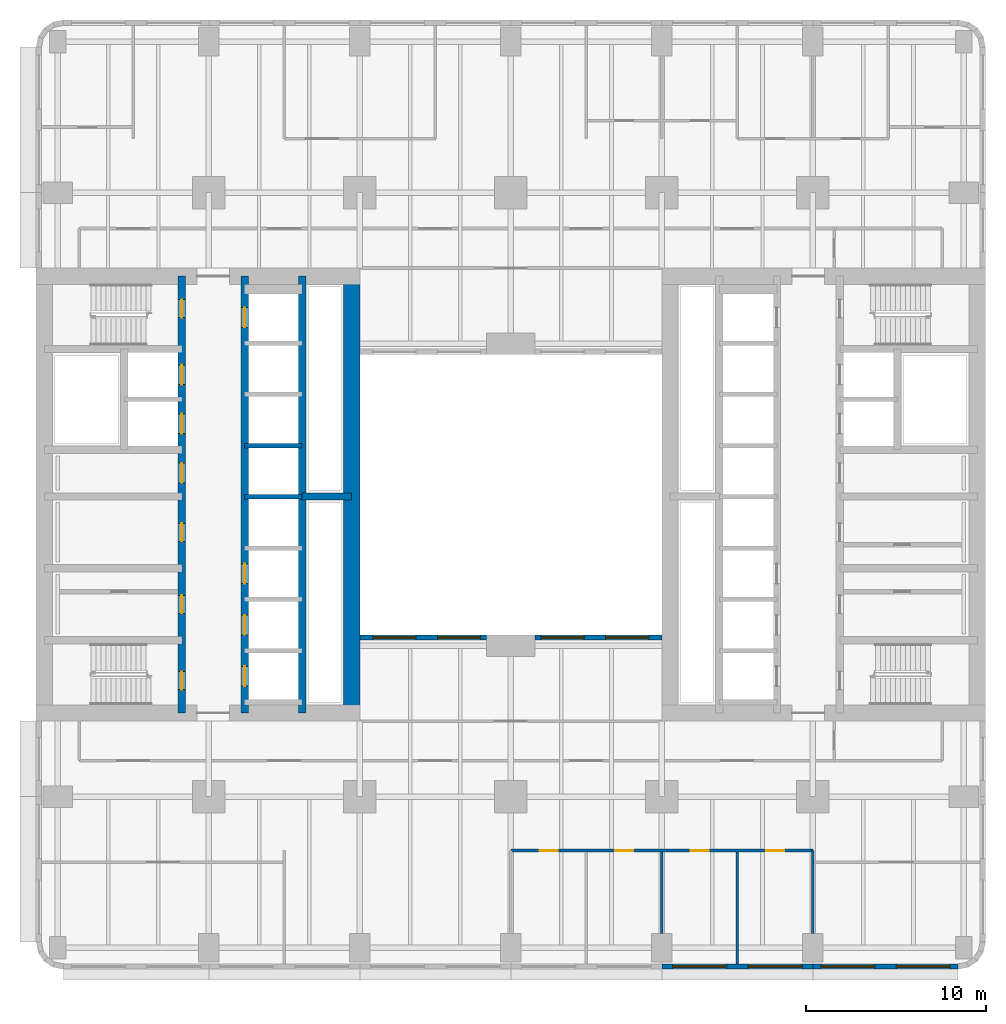
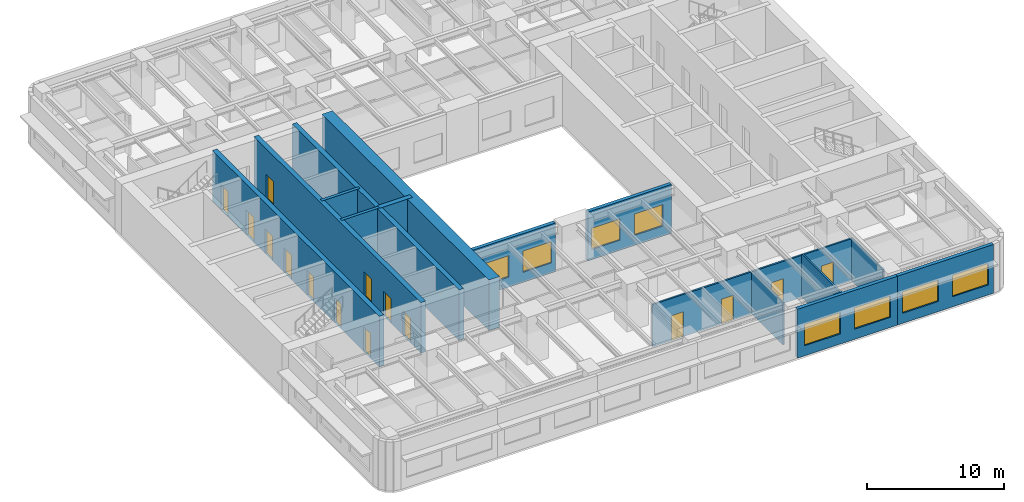
# One storey, part 4 of 14: 15 doors, 15 walls, 8 windows, 23 openings.
"""IFC4 building model written with IfcOpenShell, lengths in metres."""

from ifc_helpers import new_model, si_unit, direction, frame, frame_2d, origin, place, context, subcontext, project, spatial, rectangle, extrude, material, layer, layer_set, type_object, element, fill, save


model = new_model("IFC4")

# Units and contexts
model_context = context("Model", 3, precision=1e-05, world=origin(), true_north=direction((0.0, 1.0)))
body_context = subcontext(model_context, "Body", "Model", "MODEL_VIEW")
ifc_project = project(units=[si_unit("LENGTHUNIT", "METRE"), si_unit("AREAUNIT", "SQUARE_METRE"), si_unit("VOLUMEUNIT", "CUBIC_METRE"), si_unit("PLANEANGLEUNIT", "RADIAN"), si_unit("MASSUNIT", "GRAM", prefix="KILO")], contexts=[model_context])

# Site, building, storey
site_placement = place(None, origin())
site = spatial("IfcSite", under=ifc_project, at=site_placement, CompositionType="ELEMENT")
building_placement = place(site_placement, origin())
building = spatial("IfcBuilding", under=site, at=building_placement, Name="Claustro Exchange Tower", CompositionType="ELEMENT")
storey_placement = place(building_placement, frame((0.0, 0.0, 36.89990234375)))
storey = spatial("IfcBuildingStorey", under=building, at=storey_placement, Name="L08", CompositionType="ELEMENT", Elevation=36.89990234375)

# Wall, openings, doors
ifc_material_1 = material(Name="Gypsum board on steel studs", Category="steel")
ifc_layer_1 = layer(ifc_material_1, 0.14990234375)
ifc_layer_set_1 = layer_set([ifc_layer_1], Name="Gypsum board on steel studs")
wall_type_1 = type_object("IfcWallType", Name="P1 150 plasterboard partition", PredefinedType="PARTITIONING", material=ifc_layer_set_1)
wall_1_placement = place(storey_placement, frame((25.199951171875, 5.39990234375, 0.0), z_axis=(0.0, 0.0, 1.0), x_axis=(1.0, 0.0, 0.0)))
wall_1 = element("IfcWall", 1, at=wall_1_placement, inside=storey, type_object=wall_type_1, Name="Partition P1 L08", PredefinedType="PARTITIONING", context=body_context, shape_type="SweptSolid", body=[
    extrude(rectangle(XDim=16.800048828125, YDim=0.14990234375, at=frame_2d((8.39990234375, 0.0))), origin(), (0.0, 0.0, 1.0), 3.739990234375),
])
opening_1_placement = place(wall_1_placement, frame((1.60009765625, 0.0, 0.0)))
opening_1 = element("IfcOpeningElement", 2, at=opening_1_placement, cuts=wall_1, Name="Opening D1", PredefinedType="OPENING", context=body_context, shape_type="SweptSolid", body=[
    extrude(rectangle(XDim=1.0, YDim=2.199951171875, at=frame_2d((0.5, 1.10009765625))), frame((0.0, 0.0849609375, 0.0), z_axis=(0.0, -1.0, 0.0), x_axis=(1.0, 0.0, 0.0)), (0.0, 0.0, 1.0), 0.169921875),
])
opening_2_placement = place(wall_1_placement, frame((5.800048828125, 0.0, 0.0)))
opening_2 = element("IfcOpeningElement", 3, at=opening_2_placement, cuts=wall_1, Name="Opening D1", PredefinedType="OPENING", context=body_context, shape_type="SweptSolid", body=[
    extrude(rectangle(XDim=1.0, YDim=2.199951171875, at=frame_2d((0.5, 1.10009765625))), frame((0.0, 0.0849609375, 0.0), z_axis=(0.0, -1.0, 0.0), x_axis=(1.0, 0.0, 0.0)), (0.0, 0.0, 1.0), 0.169921875),
])
opening_3_placement = place(wall_1_placement, frame((10.0, 0.0, 0.0)))
opening_3 = element("IfcOpeningElement", 4, at=opening_3_placement, cuts=wall_1, Name="Opening D1", PredefinedType="OPENING", context=body_context, shape_type="SweptSolid", body=[
    extrude(rectangle(XDim=1.0, YDim=2.199951171875, at=frame_2d((0.5, 1.10009765625))), frame((0.0, 0.0849609375, 0.0), z_axis=(0.0, -1.0, 0.0), x_axis=(1.0, 0.0, 0.0)), (0.0, 0.0, 1.0), 0.169921875),
])
opening_4_placement = place(wall_1_placement, frame((14.199951171875, 0.0, 0.0)))
opening_4 = element("IfcOpeningElement", 5, at=opening_4_placement, cuts=wall_1, Name="Opening D1", PredefinedType="OPENING", context=body_context, shape_type="SweptSolid", body=[
    extrude(rectangle(XDim=1.0, YDim=2.199951171875, at=frame_2d((0.5, 1.10009765625))), frame((0.0, 0.0849609375, 0.0), z_axis=(0.0, -1.0, 0.0), x_axis=(1.0, 0.0, 0.0)), (0.0, 0.0, 1.0), 0.169921875),
])
ifc_material_2 = material(Name="Timber door, oak veneer", Category="wood")
door_type_1 = type_object("IfcDoorType", Name="D1 1000 x 2200 single door", OperationType="SINGLE_SWING_LEFT", PredefinedType="DOOR", material=ifc_material_2)
door_1_placement = place(opening_1_placement, frame((1.0, 0.0, 0.0), z_axis=(0.0, 0.0, 1.0), x_axis=(-1.0, 0.0, 0.0)))
door_1 = element("IfcDoor", 6, at=door_1_placement, inside=storey, type_object=door_type_1, Name="Door D1 L08", OperationType="SINGLE_SWING_LEFT", OverallHeight=2.199951171875, OverallWidth=1.0, PredefinedType="DOOR", context=body_context, shape_type="SweptSolid", body=[
    extrude(rectangle(XDim=1.0, YDim=2.199951171875, at=frame_2d((0.5, 1.10009765625))), frame((0.0, 0.02490234375, 0.0), z_axis=(0.0, -1.0, 0.0), x_axis=(1.0, 0.0, 0.0)), (0.0, 0.0, 1.0), 0.050048828125),
])
fill(opening_1, door_1)
door_2_placement = place(opening_2_placement, frame((1.0, 0.0, 0.0), z_axis=(0.0, 0.0, 1.0), x_axis=(-1.0, 0.0, 0.0)))
door_2 = element("IfcDoor", 7, at=door_2_placement, inside=storey, type_object=door_type_1, Name="Door D1 L08", OperationType="SINGLE_SWING_RIGHT", OverallHeight=2.199951171875, OverallWidth=1.0, PredefinedType="DOOR", context=body_context, shape_type="SweptSolid", body=[
    extrude(rectangle(XDim=1.0, YDim=2.199951171875, at=frame_2d((0.5, 1.10009765625))), frame((0.0, 0.02490234375, 0.0), z_axis=(0.0, -1.0, 0.0), x_axis=(1.0, 0.0, 0.0)), (0.0, 0.0, 1.0), 0.050048828125),
])
fill(opening_2, door_2)
door_3_placement = place(opening_3_placement, frame((1.0, 0.0, 0.0), z_axis=(0.0, 0.0, 1.0), x_axis=(-1.0, 0.0, 0.0)))
door_3 = element("IfcDoor", 8, at=door_3_placement, inside=storey, type_object=door_type_1, Name="Door D1 L08", OperationType="SINGLE_SWING_RIGHT", OverallHeight=2.199951171875, OverallWidth=1.0, PredefinedType="DOOR", context=body_context, shape_type="SweptSolid", body=[
    extrude(rectangle(XDim=1.0, YDim=2.199951171875, at=frame_2d((0.5, 1.10009765625))), frame((0.0, 0.02490234375, 0.0), z_axis=(0.0, -1.0, 0.0), x_axis=(1.0, 0.0, 0.0)), (0.0, 0.0, 1.0), 0.050048828125),
])
fill(opening_3, door_3)
door_4_placement = place(opening_4_placement, frame((1.0, 0.0, 0.0), z_axis=(0.0, 0.0, 1.0), x_axis=(-1.0, 0.0, 0.0)))
door_4 = element("IfcDoor", 9, at=door_4_placement, inside=storey, type_object=door_type_1, Name="Door D1 L08", OperationType="SINGLE_SWING_RIGHT", OverallHeight=2.199951171875, OverallWidth=1.0, PredefinedType="DOOR", context=body_context, shape_type="SweptSolid", body=[
    extrude(rectangle(XDim=1.0, YDim=2.199951171875, at=frame_2d((0.5, 1.10009765625))), frame((0.0, 0.02490234375, 0.0), z_axis=(0.0, -1.0, 0.0), x_axis=(1.0, 0.0, 0.0)), (0.0, 0.0, 1.0), 0.050048828125),
])
fill(opening_4, door_4)

# Walls
wall_2_placement = place(storey_placement, frame((33.60009765625, 0.799072265625, 0.0), z_axis=(0.0, 0.0, 1.0), x_axis=(0.0, 1.0, 0.0)))
element("IfcWall", 10, at=wall_2_placement, inside=storey, type_object=wall_type_1, Name="Partition P1 L08", PredefinedType="PARTITIONING", context=body_context, shape_type="SweptSolid", body=[
    extrude(rectangle(XDim=4.52685546875, YDim=0.14990234375, at=frame_2d((2.263427734375, 0.0))), origin(), (0.0, 0.0, 1.0), 3.739990234375),
])
wall_3_placement = place(storey_placement, frame((37.800048828125, -0.902099609375, 0.0), z_axis=(0.0, 0.0, 1.0), x_axis=(0.0, 1.0, 0.0)))
element("IfcWall", 11, at=wall_3_placement, inside=storey, type_object=wall_type_1, Name="Partition P1 L08", PredefinedType="PARTITIONING", context=body_context, shape_type="SweptSolid", body=[
    extrude(rectangle(XDim=6.22802734375, YDim=0.14990234375, at=frame_2d((3.114013671875, 0.0))), origin(), (0.0, 0.0, 1.0), 3.840087890625),
])
wall_4_placement = place(storey_placement, frame((42.0, 0.799072265625, 0.0), z_axis=(0.0, 0.0, 1.0), x_axis=(0.0, 1.0, 0.0)))
element("IfcWall", 12, at=wall_4_placement, inside=storey, type_object=wall_type_1, Name="Partition P1 L08", PredefinedType="PARTITIONING", context=body_context, shape_type="SweptSolid", body=[
    extrude(rectangle(XDim=4.600830078125, YDim=0.14990234375, at=frame_2d((2.30029296875, 0.0))), origin(), (0.0, 0.0, 1.0), 3.739990234375),
])

# Wall, openings, windows
ifc_material_3 = material(Name="Concrete HA-40 (C40/50), precast, white cement, acid-etched", Category="concrete")
ifc_layer_2 = layer(ifc_material_3, 0.300048828125)
ifc_layer_set_2 = layer_set([ifc_layer_2], Name="Concrete HA-40 (C40/50), precast, white cement, acid-etched")
wall_type_2 = type_object("IfcWallType", Name="PC1 300 precast concrete pier panel", PredefinedType="SOLIDWALL", material=ifc_layer_set_2)
wall_5_placement = place(storey_placement, frame((50.085205078125, -1.050048828125, 0.0), z_axis=(0.0, 0.0, 1.0), x_axis=(-1.0, 0.0, 0.0)))
wall_5 = element("IfcWall", 13, at=wall_5_placement, inside=storey, type_object=wall_type_2, Name="Precast pier panel PC1 L08", PredefinedType="SOLIDWALL", context=body_context, shape_type="SweptSolid", body=[
    extrude(rectangle(XDim=8.085205078125, YDim=0.300048828125, at=frame_2d((4.04248046875, 0.0))), origin(), (0.0, 0.0, 1.0), 4.340087890625),
])
opening_5_placement = place(wall_5_placement, frame((0.442626953125, 0.0, 0.89990234375)))
opening_5 = element("IfcOpeningElement", 14, at=opening_5_placement, cuts=wall_5, Name="Opening W1", PredefinedType="OPENING", context=body_context, shape_type="SweptSolid", body=[
    extrude(rectangle(XDim=3.0, YDim=1.89990234375, at=frame_2d((1.5, 0.949951171875))), frame((0.0, 0.159912109375, 0.0), z_axis=(0.0, -1.0, 0.0), x_axis=(1.0, 0.0, 0.0)), (0.0, 0.0, 1.0), 0.320068359375),
])
opening_6_placement = place(wall_5_placement, frame((4.642578125, 0.0, 0.89990234375)))
opening_6 = element("IfcOpeningElement", 15, at=opening_6_placement, cuts=wall_5, Name="Opening W1", PredefinedType="OPENING", context=body_context, shape_type="SweptSolid", body=[
    extrude(rectangle(XDim=3.0, YDim=1.89990234375, at=frame_2d((1.5, 0.949951171875))), frame((0.0, 0.159912109375, 0.0), z_axis=(0.0, -1.0, 0.0), x_axis=(1.0, 0.0, 0.0)), (0.0, 0.0, 1.0), 0.320068359375),
])
ifc_material_4 = material(Name="Aluminium frame, clear double glazing", Category="aluminium")
window_type_1 = type_object("IfcWindowType", Name="W1 3000 x 1900 window", PartitioningType="SINGLE_PANEL", PredefinedType="WINDOW", material=ifc_material_4)
window_1_placement = place(opening_5_placement, origin())
window_1 = element("IfcWindow", 16, at=window_1_placement, inside=storey, type_object=window_type_1, Name="Window W1 L08", OverallHeight=1.89990234375, OverallWidth=3.0, PartitioningType="SINGLE_PANEL", PredefinedType="WINDOW", context=body_context, shape_type="SweptSolid", body=[
    extrude(rectangle(XDim=3.0, YDim=1.89990234375, at=frame_2d((1.5, 0.949951171875))), frame((0.0, 0.030029296875, 0.0), z_axis=(0.0, -1.0, 0.0), x_axis=(1.0, 0.0, 0.0)), (0.0, 0.0, 1.0), 0.06005859375),
])
fill(opening_5, window_1)
window_2_placement = place(opening_6_placement, origin())
window_2 = element("IfcWindow", 17, at=window_2_placement, inside=storey, type_object=window_type_1, Name="Window W1 L08", OverallHeight=1.89990234375, OverallWidth=3.0, PartitioningType="SINGLE_PANEL", PredefinedType="WINDOW", context=body_context, shape_type="SweptSolid", body=[
    extrude(rectangle(XDim=3.0, YDim=1.89990234375, at=frame_2d((1.5, 0.949951171875))), frame((0.0, 0.030029296875, 0.0), z_axis=(0.0, -1.0, 0.0), x_axis=(1.0, 0.0, 0.0)), (0.0, 0.0, 1.0), 0.06005859375),
])
fill(opening_6, window_2)

wall_6_placement = place(storey_placement, frame((42.0, -1.050048828125, 0.0), z_axis=(0.0, 0.0, 1.0), x_axis=(-1.0, 0.0, 0.0)))
wall_6 = element("IfcWall", 18, at=wall_6_placement, inside=storey, type_object=wall_type_2, Name="Precast pier panel PC1 L08", PredefinedType="SOLIDWALL", context=body_context, shape_type="SweptSolid", body=[
    extrude(rectangle(XDim=8.39990234375, YDim=0.300048828125, at=frame_2d((4.199951171875, 0.0))), origin(), (0.0, 0.0, 1.0), 4.340087890625),
])
opening_7_placement = place(wall_6_placement, frame((0.60009765625, 0.0, 0.89990234375)))
opening_7 = element("IfcOpeningElement", 19, at=opening_7_placement, cuts=wall_6, Name="Opening W1", PredefinedType="OPENING", context=body_context, shape_type="SweptSolid", body=[
    extrude(rectangle(XDim=3.0, YDim=1.89990234375, at=frame_2d((1.5, 0.949951171875))), frame((0.0, 0.159912109375, 0.0), z_axis=(0.0, -1.0, 0.0), x_axis=(1.0, 0.0, 0.0)), (0.0, 0.0, 1.0), 0.320068359375),
])
opening_8_placement = place(wall_6_placement, frame((4.800048828125, 0.0, 0.89990234375)))
opening_8 = element("IfcOpeningElement", 20, at=opening_8_placement, cuts=wall_6, Name="Opening W1", PredefinedType="OPENING", context=body_context, shape_type="SweptSolid", body=[
    extrude(rectangle(XDim=3.0, YDim=1.89990234375, at=frame_2d((1.5, 0.949951171875))), frame((0.0, 0.159912109375, 0.0), z_axis=(0.0, -1.0, 0.0), x_axis=(1.0, 0.0, 0.0)), (0.0, 0.0, 1.0), 0.320068359375),
])
window_3_placement = place(opening_7_placement, origin())
window_3 = element("IfcWindow", 21, at=window_3_placement, inside=storey, type_object=window_type_1, Name="Window W1 L08", OverallHeight=1.89990234375, OverallWidth=3.0, PartitioningType="SINGLE_PANEL", PredefinedType="WINDOW", context=body_context, shape_type="SweptSolid", body=[
    extrude(rectangle(XDim=3.0, YDim=1.89990234375, at=frame_2d((1.5, 0.949951171875))), frame((0.0, 0.030029296875, 0.0), z_axis=(0.0, -1.0, 0.0), x_axis=(1.0, 0.0, 0.0)), (0.0, 0.0, 1.0), 0.06005859375),
])
fill(opening_7, window_3)
window_4_placement = place(opening_8_placement, origin())
window_4 = element("IfcWindow", 22, at=window_4_placement, inside=storey, type_object=window_type_1, Name="Window W1 L08", OverallHeight=1.89990234375, OverallWidth=3.0, PartitioningType="SINGLE_PANEL", PredefinedType="WINDOW", context=body_context, shape_type="SweptSolid", body=[
    extrude(rectangle(XDim=3.0, YDim=1.89990234375, at=frame_2d((1.5, 0.949951171875))), frame((0.0, 0.030029296875, 0.0), z_axis=(0.0, -1.0, 0.0), x_axis=(1.0, 0.0, 0.0)), (0.0, 0.0, 1.0), 0.06005859375),
])
fill(opening_8, window_4)

wall_7_placement = place(storey_placement, frame((16.800048828125, 17.25, 0.0), z_axis=(0.0, 0.0, 1.0), x_axis=(1.0, 0.0, 0.0)))
wall_7 = element("IfcWall", 23, at=wall_7_placement, inside=storey, type_object=wall_type_2, Name="Precast pier panel PC1 L08", PredefinedType="SOLIDWALL", context=body_context, shape_type="SweptSolid", body=[
    extrude(rectangle(XDim=7.050048828125, YDim=0.300048828125, at=frame_2d((3.52490234375, 0.0))), origin(), (0.0, 0.0, 1.0), 4.340087890625),
])
opening_9_placement = place(wall_7_placement, frame((0.72509765625, 0.0, 0.89990234375)))
opening_9 = element("IfcOpeningElement", 24, at=opening_9_placement, cuts=wall_7, Name="Opening W2", PredefinedType="OPENING", context=body_context, shape_type="SweptSolid", body=[
    extrude(rectangle(XDim=2.39990234375, YDim=1.89990234375, at=frame_2d((1.199951171875, 0.949951171875))), frame((0.0, 0.159912109375, 0.0), z_axis=(0.0, -1.0, 0.0), x_axis=(1.0, 0.0, 0.0)), (0.0, 0.0, 1.0), 0.320068359375),
])
opening_10_placement = place(wall_7_placement, frame((4.324951171875, 0.0, 0.89990234375)))
opening_10 = element("IfcOpeningElement", 25, at=opening_10_placement, cuts=wall_7, Name="Opening W2", PredefinedType="OPENING", context=body_context, shape_type="SweptSolid", body=[
    extrude(rectangle(XDim=2.39990234375, YDim=1.89990234375, at=frame_2d((1.199951171875, 0.949951171875))), frame((0.0, 0.159912109375, 0.0), z_axis=(0.0, -1.0, 0.0), x_axis=(1.0, 0.0, 0.0)), (0.0, 0.0, 1.0), 0.320068359375),
])
ifc_material_5 = material(Name="Aluminium frame, clear double glazing", Category="aluminium")
window_type_2 = type_object("IfcWindowType", Name="W2 2400 x 1900 window", PartitioningType="SINGLE_PANEL", PredefinedType="WINDOW", material=ifc_material_5)
window_5_placement = place(opening_9_placement, origin())
window_5 = element("IfcWindow", 26, at=window_5_placement, inside=storey, type_object=window_type_2, Name="Window W2 L08", OverallHeight=1.89990234375, OverallWidth=2.39990234375, PartitioningType="SINGLE_PANEL", PredefinedType="WINDOW", context=body_context, shape_type="SweptSolid", body=[
    extrude(rectangle(XDim=2.39990234375, YDim=1.89990234375, at=frame_2d((1.199951171875, 0.949951171875))), frame((0.0, 0.030029296875, 0.0), z_axis=(0.0, -1.0, 0.0), x_axis=(1.0, 0.0, 0.0)), (0.0, 0.0, 1.0), 0.06005859375),
])
fill(opening_9, window_5)
window_6_placement = place(opening_10_placement, origin())
window_6 = element("IfcWindow", 27, at=window_6_placement, inside=storey, type_object=window_type_2, Name="Window W2 L08", OverallHeight=1.89990234375, OverallWidth=2.39990234375, PartitioningType="SINGLE_PANEL", PredefinedType="WINDOW", context=body_context, shape_type="SweptSolid", body=[
    extrude(rectangle(XDim=2.39990234375, YDim=1.89990234375, at=frame_2d((1.199951171875, 0.949951171875))), frame((0.0, 0.030029296875, 0.0), z_axis=(0.0, -1.0, 0.0), x_axis=(1.0, 0.0, 0.0)), (0.0, 0.0, 1.0), 0.06005859375),
])
fill(opening_10, window_6)

wall_8_placement = place(storey_placement, frame((26.550048828125, 17.25, 0.0), z_axis=(0.0, 0.0, 1.0), x_axis=(1.0, 0.0, 0.0)))
wall_8 = element("IfcWall", 28, at=wall_8_placement, inside=storey, type_object=wall_type_2, Name="Precast pier panel PC1 L08", PredefinedType="SOLIDWALL", context=body_context, shape_type="SweptSolid", body=[
    extrude(rectangle(XDim=7.050048828125, YDim=0.300048828125, at=frame_2d((3.52490234375, 0.0))), origin(), (0.0, 0.0, 1.0), 4.340087890625),
])
opening_11_placement = place(wall_8_placement, frame((0.324951171875, 0.0, 0.89990234375)))
opening_11 = element("IfcOpeningElement", 29, at=opening_11_placement, cuts=wall_8, Name="Opening W2", PredefinedType="OPENING", context=body_context, shape_type="SweptSolid", body=[
    extrude(rectangle(XDim=2.39990234375, YDim=1.89990234375, at=frame_2d((1.199951171875, 0.949951171875))), frame((0.0, 0.159912109375, 0.0), z_axis=(0.0, -1.0, 0.0), x_axis=(1.0, 0.0, 0.0)), (0.0, 0.0, 1.0), 0.320068359375),
])
opening_12_placement = place(wall_8_placement, frame((3.925048828125, 0.0, 0.89990234375)))
opening_12 = element("IfcOpeningElement", 30, at=opening_12_placement, cuts=wall_8, Name="Opening W2", PredefinedType="OPENING", context=body_context, shape_type="SweptSolid", body=[
    extrude(rectangle(XDim=2.39990234375, YDim=1.89990234375, at=frame_2d((1.199951171875, 0.949951171875))), frame((0.0, 0.159912109375, 0.0), z_axis=(0.0, -1.0, 0.0), x_axis=(1.0, 0.0, 0.0)), (0.0, 0.0, 1.0), 0.320068359375),
])
window_7_placement = place(opening_11_placement, origin())
window_7 = element("IfcWindow", 31, at=window_7_placement, inside=storey, type_object=window_type_2, Name="Window W2 L08", OverallHeight=1.89990234375, OverallWidth=2.39990234375, PartitioningType="SINGLE_PANEL", PredefinedType="WINDOW", context=body_context, shape_type="SweptSolid", body=[
    extrude(rectangle(XDim=2.39990234375, YDim=1.89990234375, at=frame_2d((1.199951171875, 0.949951171875))), frame((0.0, 0.030029296875, 0.0), z_axis=(0.0, -1.0, 0.0), x_axis=(1.0, 0.0, 0.0)), (0.0, 0.0, 1.0), 0.06005859375),
])
fill(opening_11, window_7)
window_8_placement = place(opening_12_placement, origin())
window_8 = element("IfcWindow", 32, at=window_8_placement, inside=storey, type_object=window_type_2, Name="Window W2 L08", OverallHeight=1.89990234375, OverallWidth=2.39990234375, PartitioningType="SINGLE_PANEL", PredefinedType="WINDOW", context=body_context, shape_type="SweptSolid", body=[
    extrude(rectangle(XDim=2.39990234375, YDim=1.89990234375, at=frame_2d((1.199951171875, 0.949951171875))), frame((0.0, 0.030029296875, 0.0), z_axis=(0.0, -1.0, 0.0), x_axis=(1.0, 0.0, 0.0)), (0.0, 0.0, 1.0), 0.06005859375),
])
fill(opening_12, window_8)

# Wall
ifc_material_6 = material(Name="Concrete HA-70 (C70/85)", Category="concrete")
ifc_layer_3 = layer(ifc_material_6, 0.89990234375)
ifc_layer_set_3 = layer_set([ifc_layer_3], Name="Concrete HA-70 (C70/85)")
wall_type_3 = type_object("IfcWallType", Name="SW1X 900 exposed core shear wall, board-marked face", PredefinedType="SHEAR", material=ifc_layer_set_3)
wall_9_placement = place(storey_placement, frame((16.35009765625, 13.050048828125, 0.0), z_axis=(0.0, 0.0, 1.0), x_axis=(0.0, 1.0, 0.0)))
element("IfcWall", 33, at=wall_9_placement, inside=storey, type_object=wall_type_3, Name="Core wall SW1X W core E face L08", PredefinedType="SHEAR", context=body_context, shape_type="SweptSolid", body=[
    extrude(rectangle(XDim=24.300048828125, YDim=0.89990234375, at=frame_2d((12.14990234375, 0.0))), origin(), (0.0, 0.0, 1.0), 4.5),
])

# Wall, openings, doors
ifc_material_7 = material(Name="Concrete HA-50 (C50/60)", Category="concrete")
ifc_layer_4 = layer(ifc_material_7, 0.39990234375)
ifc_layer_set_4 = layer_set([ifc_layer_4], Name="Concrete HA-50 (C50/60)")
wall_type_4 = type_object("IfcWallType", Name="SW4 400 internal core wall", PredefinedType="SHEAR", material=ifc_layer_set_4)
wall_10_placement = place(storey_placement, frame((6.89990234375, 13.050048828125, 0.0), z_axis=(0.0, 0.0, 1.0), x_axis=(0.0, 1.0, 0.0)))
wall_10 = element("IfcWall", 34, at=wall_10_placement, inside=storey, type_object=wall_type_4, Name="Internal core wall SW4 W core L08", PredefinedType="SHEAR", context=body_context, shape_type="SweptSolid", body=[
    extrude(rectangle(XDim=24.300048828125, YDim=0.39990234375, at=frame_2d((12.14990234375, 0.0))), origin(), (0.0, 0.0, 1.0), 4.5),
])
opening_13_placement = place(wall_10_placement, frame((1.300048828125, 0.0, 0.0)))
opening_13 = element("IfcOpeningElement", 35, at=opening_13_placement, cuts=wall_10, Name="Opening D4", PredefinedType="OPENING", context=body_context, shape_type="SweptSolid", body=[
    extrude(rectangle(XDim=1.0, YDim=2.199951171875, at=frame_2d((0.5, 1.10009765625))), frame((0.0, 0.2099609375, 0.0), z_axis=(0.0, -1.0, 0.0), x_axis=(1.0, 0.0, 0.0)), (0.0, 0.0, 1.0), 0.419921875),
])
opening_14_placement = place(wall_10_placement, frame((22.0, 0.0, 0.0)))
opening_14 = element("IfcOpeningElement", 36, at=opening_14_placement, cuts=wall_10, Name="Opening D4", PredefinedType="OPENING", context=body_context, shape_type="SweptSolid", body=[
    extrude(rectangle(XDim=1.0, YDim=2.199951171875, at=frame_2d((0.5, 1.10009765625))), frame((0.0, 0.2099609375, 0.0), z_axis=(0.0, -1.0, 0.0), x_axis=(1.0, 0.0, 0.0)), (0.0, 0.0, 1.0), 0.419921875),
])
opening_15_placement = place(wall_10_placement, frame((5.550048828125, 0.0, 0.0)))
opening_15 = element("IfcOpeningElement", 37, at=opening_15_placement, cuts=wall_10, Name="Opening D1", PredefinedType="OPENING", context=body_context, shape_type="SweptSolid", body=[
    extrude(rectangle(XDim=1.0, YDim=2.199951171875, at=frame_2d((0.5, 1.10009765625))), frame((0.0, 0.2099609375, 0.0), z_axis=(0.0, -1.0, 0.0), x_axis=(1.0, 0.0, 0.0)), (0.0, 0.0, 1.0), 0.419921875),
])
opening_16_placement = place(wall_10_placement, frame((9.550048828125, 0.0, 0.0)))
opening_16 = element("IfcOpeningElement", 38, at=opening_16_placement, cuts=wall_10, Name="Opening D1", PredefinedType="OPENING", context=body_context, shape_type="SweptSolid", body=[
    extrude(rectangle(XDim=1.0, YDim=2.199951171875, at=frame_2d((0.5, 1.10009765625))), frame((0.0, 0.2099609375, 0.0), z_axis=(0.0, -1.0, 0.0), x_axis=(1.0, 0.0, 0.0)), (0.0, 0.0, 1.0), 0.419921875),
])
opening_17_placement = place(wall_10_placement, frame((12.800048828125, 0.0, 0.0)))
opening_17 = element("IfcOpeningElement", 39, at=opening_17_placement, cuts=wall_10, Name="Opening D10", PredefinedType="OPENING", context=body_context, shape_type="SweptSolid", body=[
    extrude(rectangle(XDim=1.10009765625, YDim=2.199951171875, at=frame_2d((0.550048828125, 1.10009765625))), frame((0.0, 0.2099609375, 0.0), z_axis=(0.0, -1.0, 0.0), x_axis=(1.0, 0.0, 0.0)), (0.0, 0.0, 1.0), 0.419921875),
])
opening_18_placement = place(wall_10_placement, frame((15.53759765625, 0.0, 0.0)))
opening_18 = element("IfcOpeningElement", 40, at=opening_18_placement, cuts=wall_10, Name="Opening LD", PredefinedType="OPENING", context=body_context, shape_type="SweptSolid", body=[
    extrude(rectangle(XDim=1.10009765625, YDim=2.199951171875, at=frame_2d((0.550048828125, 1.10009765625))), frame((0.0, 0.2099609375, 0.0), z_axis=(0.0, -1.0, 0.0), x_axis=(1.0, 0.0, 0.0)), (0.0, 0.0, 1.0), 0.419921875),
])
opening_19_placement = place(wall_10_placement, frame((18.262451171875, 0.0, 0.0)))
opening_19 = element("IfcOpeningElement", 41, at=opening_19_placement, cuts=wall_10, Name="Opening LD", PredefinedType="OPENING", context=body_context, shape_type="SweptSolid", body=[
    extrude(rectangle(XDim=1.10009765625, YDim=2.199951171875, at=frame_2d((0.550048828125, 1.10009765625))), frame((0.0, 0.2099609375, 0.0), z_axis=(0.0, -1.0, 0.0), x_axis=(1.0, 0.0, 0.0)), (0.0, 0.0, 1.0), 0.419921875),
])
door_5_placement = place(opening_15_placement, origin())
door_5 = element("IfcDoor", 42, at=door_5_placement, inside=storey, type_object=door_type_1, Name="Door D1 L08", OperationType="SINGLE_SWING_RIGHT", OverallHeight=2.199951171875, OverallWidth=1.0, PredefinedType="DOOR", context=body_context, shape_type="SweptSolid", body=[
    extrude(rectangle(XDim=1.0, YDim=2.199951171875, at=frame_2d((0.5, 1.10009765625))), frame((0.0, 0.02490234375, 0.0), z_axis=(0.0, -1.0, 0.0), x_axis=(1.0, 0.0, 0.0)), (0.0, 0.0, 1.0), 0.050048828125),
])
fill(opening_15, door_5)
door_6_placement = place(opening_16_placement, origin())
door_6 = element("IfcDoor", 43, at=door_6_placement, inside=storey, type_object=door_type_1, Name="Door D1 L08", OperationType="SINGLE_SWING_RIGHT", OverallHeight=2.199951171875, OverallWidth=1.0, PredefinedType="DOOR", context=body_context, shape_type="SweptSolid", body=[
    extrude(rectangle(XDim=1.0, YDim=2.199951171875, at=frame_2d((0.5, 1.10009765625))), frame((0.0, 0.02490234375, 0.0), z_axis=(0.0, -1.0, 0.0), x_axis=(1.0, 0.0, 0.0)), (0.0, 0.0, 1.0), 0.050048828125),
])
fill(opening_16, door_6)
ifc_material_8 = material(Name="Timber door, oak veneer", Category="wood")
door_type_2 = type_object("IfcDoorType", Name="D10 1100 x 2200 accessible WC door", OperationType="SINGLE_SWING_LEFT", PredefinedType="DOOR", material=ifc_material_8)
door_7_placement = place(opening_17_placement, frame((1.10009765625, 0.0, 0.0), z_axis=(0.0, 0.0, 1.0), x_axis=(-1.0, 0.0, 0.0)))
door_7 = element("IfcDoor", 44, at=door_7_placement, inside=storey, type_object=door_type_2, Name="Accessible WC door D10 L08", OperationType="SINGLE_SWING_LEFT", OverallHeight=2.199951171875, OverallWidth=1.10009765625, PredefinedType="DOOR", context=body_context, shape_type="SweptSolid", body=[
    extrude(rectangle(XDim=1.10009765625, YDim=2.199951171875, at=frame_2d((0.550048828125, 1.10009765625))), frame((0.0, 0.02490234375, 0.0), z_axis=(0.0, -1.0, 0.0), x_axis=(1.0, 0.0, 0.0)), (0.0, 0.0, 1.0), 0.050048828125),
])
fill(opening_17, door_7)
ifc_material_9 = material(Name="Steel fire door, painted", Category="steel")
door_type_3 = type_object("IfcDoorType", Name="D4 1000 x 2200 fire-rated stair door", OperationType="SINGLE_SWING_LEFT", PredefinedType="DOOR", material=ifc_material_9)
door_8_placement = place(opening_13_placement, origin())
door_8 = element("IfcDoor", 45, at=door_8_placement, inside=storey, type_object=door_type_3, Name="Stair door D4 L08", OperationType="SINGLE_SWING_LEFT", OverallHeight=2.199951171875, OverallWidth=1.0, PredefinedType="DOOR", context=body_context, shape_type="SweptSolid", body=[
    extrude(rectangle(XDim=1.0, YDim=2.199951171875, at=frame_2d((0.5, 1.10009765625))), frame((0.0, 0.02490234375, 0.0), z_axis=(0.0, -1.0, 0.0), x_axis=(1.0, 0.0, 0.0)), (0.0, 0.0, 1.0), 0.050048828125),
])
fill(opening_13, door_8)
door_9_placement = place(opening_14_placement, origin())
door_9 = element("IfcDoor", 46, at=door_9_placement, inside=storey, type_object=door_type_3, Name="Stair door D4 L08", OperationType="SINGLE_SWING_RIGHT", OverallHeight=2.199951171875, OverallWidth=1.0, PredefinedType="DOOR", context=body_context, shape_type="SweptSolid", body=[
    extrude(rectangle(XDim=1.0, YDim=2.199951171875, at=frame_2d((0.5, 1.10009765625))), frame((0.0, 0.02490234375, 0.0), z_axis=(0.0, -1.0, 0.0), x_axis=(1.0, 0.0, 0.0)), (0.0, 0.0, 1.0), 0.050048828125),
])
fill(opening_14, door_9)
ifc_material_10 = material(Name="Stainless steel sliding door", Category="steel")
door_type_4 = type_object("IfcDoorType", Name="LD 1100 x 2200 lift landing door", OperationType="DOUBLE_DOOR_SLIDING", PredefinedType="DOOR", material=ifc_material_10)
door_10_placement = place(opening_18_placement, origin())
door_10 = element("IfcDoor", 47, at=door_10_placement, inside=storey, type_object=door_type_4, Name="Lift landing door LEW1 LD L08", OperationType="DOUBLE_DOOR_SLIDING", OverallHeight=2.199951171875, OverallWidth=1.10009765625, PredefinedType="DOOR", context=body_context, shape_type="SweptSolid", body=[
    extrude(rectangle(XDim=1.10009765625, YDim=2.199951171875, at=frame_2d((0.550048828125, 1.10009765625))), frame((0.0, 0.02490234375, 0.0), z_axis=(0.0, -1.0, 0.0), x_axis=(1.0, 0.0, 0.0)), (0.0, 0.0, 1.0), 0.050048828125),
])
fill(opening_18, door_10)
door_11_placement = place(opening_19_placement, origin())
door_11 = element("IfcDoor", 48, at=door_11_placement, inside=storey, type_object=door_type_4, Name="Lift landing door LEW2 LD L08", OperationType="DOUBLE_DOOR_SLIDING", OverallHeight=2.199951171875, OverallWidth=1.10009765625, PredefinedType="DOOR", context=body_context, shape_type="SweptSolid", body=[
    extrude(rectangle(XDim=1.10009765625, YDim=2.199951171875, at=frame_2d((0.550048828125, 1.10009765625))), frame((0.0, 0.02490234375, 0.0), z_axis=(0.0, -1.0, 0.0), x_axis=(1.0, 0.0, 0.0)), (0.0, 0.0, 1.0), 0.050048828125),
])
fill(opening_19, door_11)

wall_11_placement = place(storey_placement, frame((10.39990234375, 13.050048828125, 0.0), z_axis=(0.0, 0.0, 1.0), x_axis=(0.0, 1.0, 0.0)))
wall_11 = element("IfcWall", 49, at=wall_11_placement, inside=storey, type_object=wall_type_4, Name="Internal core wall SW4 W core L08", PredefinedType="SHEAR", context=body_context, shape_type="SweptSolid", body=[
    extrude(rectangle(XDim=24.300048828125, YDim=0.39990234375, at=frame_2d((12.14990234375, 0.0))), origin(), (0.0, 0.0, 1.0), 4.5),
])
opening_20_placement = place(wall_11_placement, frame((1.5, 0.0, 0.0)))
opening_20 = element("IfcOpeningElement", 50, at=opening_20_placement, cuts=wall_11, Name="Opening LD", PredefinedType="OPENING", context=body_context, shape_type="SweptSolid", body=[
    extrude(rectangle(XDim=1.10009765625, YDim=2.199951171875, at=frame_2d((0.550048828125, 1.10009765625))), frame((0.0, 0.2099609375, 0.0), z_axis=(0.0, -1.0, 0.0), x_axis=(1.0, 0.0, 0.0)), (0.0, 0.0, 1.0), 0.419921875),
])
opening_21_placement = place(wall_11_placement, frame((4.35009765625, 0.0, 0.0)))
opening_21 = element("IfcOpeningElement", 51, at=opening_21_placement, cuts=wall_11, Name="Opening LD", PredefinedType="OPENING", context=body_context, shape_type="SweptSolid", body=[
    extrude(rectangle(XDim=1.10009765625, YDim=2.199951171875, at=frame_2d((0.550048828125, 1.10009765625))), frame((0.0, 0.2099609375, 0.0), z_axis=(0.0, -1.0, 0.0), x_axis=(1.0, 0.0, 0.0)), (0.0, 0.0, 1.0), 0.419921875),
])
opening_22_placement = place(wall_11_placement, frame((7.199951171875, 0.0, 0.0)))
opening_22 = element("IfcOpeningElement", 52, at=opening_22_placement, cuts=wall_11, Name="Opening LD", PredefinedType="OPENING", context=body_context, shape_type="SweptSolid", body=[
    extrude(rectangle(XDim=1.10009765625, YDim=2.199951171875, at=frame_2d((0.550048828125, 1.10009765625))), frame((0.0, 0.2099609375, 0.0), z_axis=(0.0, -1.0, 0.0), x_axis=(1.0, 0.0, 0.0)), (0.0, 0.0, 1.0), 0.419921875),
])
opening_23_placement = place(wall_11_placement, frame((21.449951171875, 0.0, 0.0)))
opening_23 = element("IfcOpeningElement", 53, at=opening_23_placement, cuts=wall_11, Name="Opening LD", PredefinedType="OPENING", context=body_context, shape_type="SweptSolid", body=[
    extrude(rectangle(XDim=1.10009765625, YDim=2.199951171875, at=frame_2d((0.550048828125, 1.10009765625))), frame((0.0, 0.2099609375, 0.0), z_axis=(0.0, -1.0, 0.0), x_axis=(1.0, 0.0, 0.0)), (0.0, 0.0, 1.0), 0.419921875),
])
door_12_placement = place(opening_20_placement, origin())
door_12 = element("IfcDoor", 54, at=door_12_placement, inside=storey, type_object=door_type_4, Name="Lift landing door LLW1 LD L08", OperationType="DOUBLE_DOOR_SLIDING", OverallHeight=2.199951171875, OverallWidth=1.10009765625, PredefinedType="DOOR", context=body_context, shape_type="SweptSolid", body=[
    extrude(rectangle(XDim=1.10009765625, YDim=2.199951171875, at=frame_2d((0.550048828125, 1.10009765625))), frame((0.0, 0.02490234375, 0.0), z_axis=(0.0, -1.0, 0.0), x_axis=(1.0, 0.0, 0.0)), (0.0, 0.0, 1.0), 0.050048828125),
])
fill(opening_20, door_12)
door_13_placement = place(opening_21_placement, origin())
door_13 = element("IfcDoor", 55, at=door_13_placement, inside=storey, type_object=door_type_4, Name="Lift landing door LLW2 LD L08", OperationType="DOUBLE_DOOR_SLIDING", OverallHeight=2.199951171875, OverallWidth=1.10009765625, PredefinedType="DOOR", context=body_context, shape_type="SweptSolid", body=[
    extrude(rectangle(XDim=1.10009765625, YDim=2.199951171875, at=frame_2d((0.550048828125, 1.10009765625))), frame((0.0, 0.02490234375, 0.0), z_axis=(0.0, -1.0, 0.0), x_axis=(1.0, 0.0, 0.0)), (0.0, 0.0, 1.0), 0.050048828125),
])
fill(opening_21, door_13)
door_14_placement = place(opening_22_placement, origin())
door_14 = element("IfcDoor", 56, at=door_14_placement, inside=storey, type_object=door_type_4, Name="Lift landing door LLW3 LD L08", OperationType="DOUBLE_DOOR_SLIDING", OverallHeight=2.199951171875, OverallWidth=1.10009765625, PredefinedType="DOOR", context=body_context, shape_type="SweptSolid", body=[
    extrude(rectangle(XDim=1.10009765625, YDim=2.199951171875, at=frame_2d((0.550048828125, 1.10009765625))), frame((0.0, 0.02490234375, 0.0), z_axis=(0.0, -1.0, 0.0), x_axis=(1.0, 0.0, 0.0)), (0.0, 0.0, 1.0), 0.050048828125),
])
fill(opening_22, door_14)
door_15_placement = place(opening_23_placement, origin())
door_15 = element("IfcDoor", 57, at=door_15_placement, inside=storey, type_object=door_type_4, Name="Lift landing door LSW1 LD L08", OperationType="DOUBLE_DOOR_SLIDING", OverallHeight=2.199951171875, OverallWidth=1.10009765625, PredefinedType="DOOR", context=body_context, shape_type="SweptSolid", body=[
    extrude(rectangle(XDim=1.10009765625, YDim=2.199951171875, at=frame_2d((0.550048828125, 1.10009765625))), frame((0.0, 0.02490234375, 0.0), z_axis=(0.0, -1.0, 0.0), x_axis=(1.0, 0.0, 0.0)), (0.0, 0.0, 1.0), 0.050048828125),
])
fill(opening_23, door_15)

# Walls
wall_12_placement = place(storey_placement, frame((13.60009765625, 13.050048828125, 0.0), z_axis=(0.0, 0.0, 1.0), x_axis=(0.0, 1.0, 0.0)))
element("IfcWall", 58, at=wall_12_placement, inside=storey, type_object=wall_type_4, Name="Internal core wall SW4 W core L08", PredefinedType="SHEAR", context=body_context, shape_type="SweptSolid", body=[
    extrude(rectangle(XDim=24.300048828125, YDim=0.39990234375, at=frame_2d((12.14990234375, 0.0))), origin(), (0.0, 0.0, 1.0), 4.5),
])
wall_13_placement = place(storey_placement, frame((13.60009765625, 25.10009765625, 0.0), z_axis=(0.0, 0.0, 1.0), x_axis=(1.0, 0.0, 0.0)))
element("IfcWall", 59, at=wall_13_placement, inside=storey, type_object=wall_type_4, Name="Internal core wall SW4 W core L08", PredefinedType="SHEAR", context=body_context, shape_type="SweptSolid", body=[
    extrude(rectangle(XDim=2.75, YDim=0.39990234375, at=frame_2d((1.375, 0.0))), origin(), (0.0, 0.0, 1.0), 4.5),
])
ifc_material_11 = material(Name="Concrete HA-50 (C50/60)", Category="concrete")
ifc_layer_5 = layer(ifc_material_11, 0.25)
ifc_layer_set_5 = layer_set([ifc_layer_5], Name="Concrete HA-50 (C50/60)")
wall_type_5 = type_object("IfcWallType", Name="SW5 250 lift shaft divider wall", PredefinedType="SHEAR", material=ifc_layer_set_5)
for number, where, z_axis, x_axis, name in (
    (60, (10.39990234375, 25.074951171875, 0.0), (0.0, 0.0, 1.0), (1.0, 0.0, 0.0), "Lift shaft wall W core L08"),
    (61, (10.39990234375, 27.925048828125, 0.0), (0.0, 0.0, 1.0), (1.0, 0.0, 0.0), "Lift shaft wall W core L08"),
):
    element("IfcWall", number, at=place(storey_placement, frame(where, z_axis=z_axis, x_axis=x_axis)), inside=storey, type_object=wall_type_5, Name=name, PredefinedType="SHEAR", context=body_context, shape_type="SweptSolid", body=[
        extrude(rectangle(XDim=3.2001953125, YDim=0.25, at=frame_2d((1.60009765625, 0.0))), origin(), (0.0, 0.0, 1.0), 4.5),
    ])

save(model, "model.ifc")
